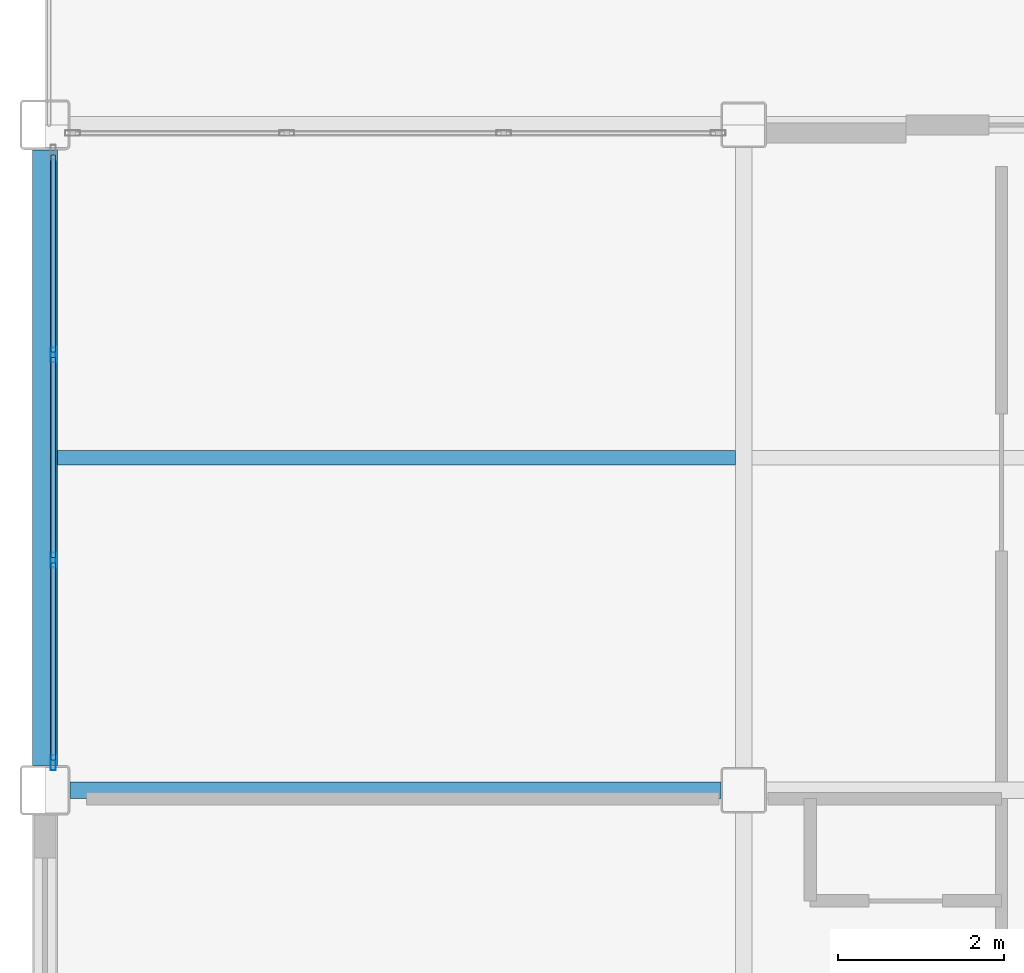
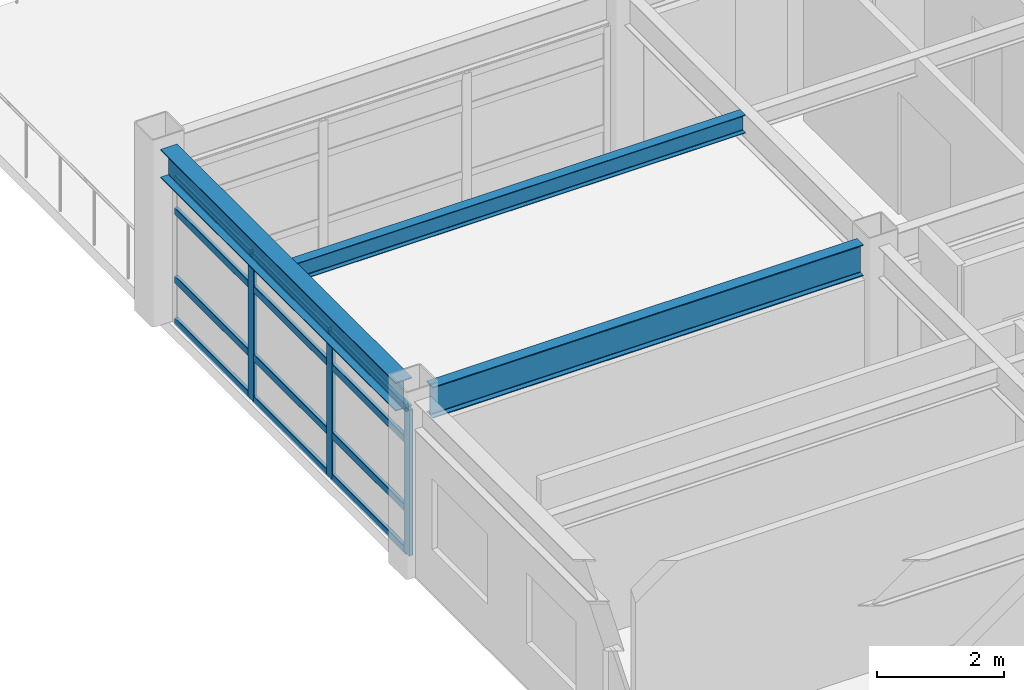
# One storey, part 18 of 36: 15 members, 3 beams, 1 element without a shape of its own.
"""IFC4 building model written with IfcOpenShell, lengths in metres."""

from ifc_helpers import new_model, si_unit, direction, frame, origin, origin_2d, place, context, subcontext, project, spatial, hollow_rectangle, i_section, extrude, material, layer, layer_set, material_profile, profile_set, type_object, element, aggregate, save


model = new_model("IFC4")

# Units and contexts
model_context = context("Model", 3, precision=1e-05, world=origin(), true_north=direction((0.0, 1.0)))
body_context = subcontext(model_context, "Body", "Model", "MODEL_VIEW")
ifc_project = project(units=[si_unit("LENGTHUNIT", "METRE"), si_unit("AREAUNIT", "SQUARE_METRE"), si_unit("VOLUMEUNIT", "CUBIC_METRE"), si_unit("PLANEANGLEUNIT", "RADIAN"), si_unit("MASSUNIT", "GRAM", prefix="KILO")], contexts=[model_context])

# Site, building, storey
site_placement = place(None, origin())
site = spatial("IfcSite", under=ifc_project, at=site_placement, CompositionType="ELEMENT")
building_placement = place(site_placement, origin())
building = spatial("IfcBuilding", under=site, at=building_placement, Name="Kazehara Bluff Congress Hotel", CompositionType="ELEMENT")
storey_placement = place(building_placement, frame((0.0, 0.0, 31.800048828125)))
storey = spatial("IfcBuildingStorey", under=building, at=storey_placement, Name="L07", CompositionType="ELEMENT", Elevation=31.800048828125)

# Curtain wall, members
ifc_material_1 = material(Name="Anodised aluminium", Category="aluminium")
ifc_layer = layer(ifc_material_1, 0.159912109375)
ifc_layer_set = layer_set([ifc_layer], Name="Anodised aluminium")
curtain_wall_type = type_object("IfcCurtainWallType", Name="TP-CW-184", PredefinedType="NOTDEFINED", material=ifc_layer_set)
curtain_wall_placement = place(storey_placement, origin())
curtain_wall = element("IfcCurtainWall", 1, at=curtain_wall_placement, inside=storey, type_object=curtain_wall_type, Name="L07 curtain wall CW-184 CW-ENC-V5-L07-14380-9290", PredefinedType="NOTDEFINED")
ifc_material_2 = material(Name="Anodised aluminium", Category="aluminium")
ifc_material_profile_1 = material_profile(ifc_material_2, hollow_rectangle(XDim=0.06494140625, YDim=0.179931640625, WallThickness=0.00390625, InnerFilletRadius=0.00390625, OuterFilletRadius=0.008056640625, at=origin_2d()))
ifc_profile_set_1 = profile_set([ifc_material_profile_1], Name="Anodised aluminium")
member_type_1 = type_object("IfcMemberType", Name="TP-CWM-02", PredefinedType="MULLION", material=ifc_profile_set_1)
member_1_placement = place(storey_placement, frame((143.800048828125, 89.232421875, 0.0), z_axis=(0.0, 0.0, 1.0), x_axis=(-1.0, 0.0, 0.0)))
member_1 = element("IfcMember", 2, at=member_1_placement, type_object=member_type_1, Name="CW-184 mullion 1", PredefinedType="MULLION", context=body_context, shape_type="SweptSolid", body=[
    extrude(hollow_rectangle(XDim=0.06494140625, YDim=0.179931640625, WallThickness=0.00390625, InnerFilletRadius=0.00390625, OuterFilletRadius=0.008056640625, at=origin_2d()), origin(), (0.0, 0.0, 1.0), 2.804931640625),
])
member_2_placement = place(storey_placement, frame((143.800048828125, 91.666748046875, 0.0), z_axis=(0.0, 0.0, 1.0), x_axis=(-1.0, 0.0, 0.0)))
member_2 = element("IfcMember", 3, at=member_2_placement, type_object=member_type_1, Name="CW-184 mullion 2", PredefinedType="MULLION", context=body_context, shape_type="SweptSolid", body=[
    extrude(hollow_rectangle(XDim=0.06494140625, YDim=0.179931640625, WallThickness=0.00390625, InnerFilletRadius=0.00390625, OuterFilletRadius=0.008056640625, at=origin_2d()), origin(), (0.0, 0.0, 1.0), 2.804931640625),
])
member_3_placement = place(storey_placement, frame((143.800048828125, 94.13330078125, 0.0), z_axis=(0.0, 0.0, 1.0), x_axis=(-1.0, 0.0, 0.0)))
member_3 = element("IfcMember", 4, at=member_3_placement, type_object=member_type_1, Name="CW-184 mullion 3", PredefinedType="MULLION", context=body_context, shape_type="SweptSolid", body=[
    extrude(hollow_rectangle(XDim=0.06494140625, YDim=0.179931640625, WallThickness=0.00390625, InnerFilletRadius=0.00390625, OuterFilletRadius=0.008056640625, at=origin_2d()), origin(), (0.0, 0.0, 1.0), 2.804931640625),
])
ifc_material_3 = material(Name="Anodised aluminium", Category="aluminium")
ifc_material_profile_2 = material_profile(ifc_material_3, hollow_rectangle(XDim=0.06494140625, YDim=0.139892578125, WallThickness=0.00390625, InnerFilletRadius=0.00390625, OuterFilletRadius=0.008056640625, at=origin_2d()))
ifc_profile_set_2 = profile_set([ifc_material_profile_2], Name="Anodised aluminium")
member_type_2 = type_object("IfcMemberType", Name="TP-CWT-02", PredefinedType="USERDEFINED", material=ifc_profile_set_2)
member_4_placement = place(storey_placement, frame((143.800048828125, 89.264892578125, 0.032470703125), z_axis=(0.0, 1.0, 0.0), x_axis=(-1.0, 0.0, 0.0)))
member_4 = element("IfcMember", 5, at=member_4_placement, type_object=member_type_2, Name="CW-184 transom 1.1", ObjectType="TRANSOM", PredefinedType="USERDEFINED", context=body_context, shape_type="SweptSolid", body=[
    extrude(hollow_rectangle(XDim=0.06494140625, YDim=0.139892578125, WallThickness=0.00390625, InnerFilletRadius=0.00390625, OuterFilletRadius=0.008056640625, at=origin_2d()), origin(), (0.0, 0.0, 1.0), 2.369384765625),
])
member_5_placement = place(storey_placement, frame((143.800048828125, 89.264892578125, 0.83984375), z_axis=(0.0, 1.0, 0.0), x_axis=(-1.0, 0.0, 0.0)))
member_5 = element("IfcMember", 6, at=member_5_placement, type_object=member_type_2, Name="CW-184 transom 1.2", ObjectType="TRANSOM", PredefinedType="USERDEFINED", context=body_context, shape_type="SweptSolid", body=[
    extrude(hollow_rectangle(XDim=0.06494140625, YDim=0.139892578125, WallThickness=0.00390625, InnerFilletRadius=0.00390625, OuterFilletRadius=0.008056640625, at=origin_2d()), origin(), (0.0, 0.0, 1.0), 2.369384765625),
])
member_6_placement = place(storey_placement, frame((143.800048828125, 89.264892578125, 2.155029296875), z_axis=(0.0, 1.0, 0.0), x_axis=(-1.0, 0.0, 0.0)))
member_6 = element("IfcMember", 7, at=member_6_placement, type_object=member_type_2, Name="CW-184 transom 1.3", ObjectType="TRANSOM", PredefinedType="USERDEFINED", context=body_context, shape_type="SweptSolid", body=[
    extrude(hollow_rectangle(XDim=0.06494140625, YDim=0.139892578125, WallThickness=0.00390625, InnerFilletRadius=0.00390625, OuterFilletRadius=0.008056640625, at=origin_2d()), origin(), (0.0, 0.0, 1.0), 2.369384765625),
])
member_7_placement = place(storey_placement, frame((143.800048828125, 89.264892578125, 2.7724609375), z_axis=(0.0, 1.0, 0.0), x_axis=(-1.0, 0.0, 0.0)))
member_7 = element("IfcMember", 8, at=member_7_placement, type_object=member_type_2, Name="CW-184 transom 1.4", ObjectType="TRANSOM", PredefinedType="USERDEFINED", context=body_context, shape_type="SweptSolid", body=[
    extrude(hollow_rectangle(XDim=0.06494140625, YDim=0.139892578125, WallThickness=0.00390625, InnerFilletRadius=0.00390625, OuterFilletRadius=0.008056640625, at=origin_2d()), origin(), (0.0, 0.0, 1.0), 2.369384765625),
])
member_8_placement = place(storey_placement, frame((143.800048828125, 91.69921875, 0.032470703125), z_axis=(0.0, 1.0, 0.0), x_axis=(-1.0, 0.0, 0.0)))
member_8 = element("IfcMember", 9, at=member_8_placement, type_object=member_type_2, Name="CW-184 transom 2.1", ObjectType="TRANSOM", PredefinedType="USERDEFINED", context=body_context, shape_type="SweptSolid", body=[
    extrude(hollow_rectangle(XDim=0.06494140625, YDim=0.139892578125, WallThickness=0.00390625, InnerFilletRadius=0.00390625, OuterFilletRadius=0.008056640625, at=origin_2d()), origin(), (0.0, 0.0, 1.0), 2.401611328125),
])
member_9_placement = place(storey_placement, frame((143.800048828125, 91.69921875, 0.83984375), z_axis=(0.0, 1.0, 0.0), x_axis=(-1.0, 0.0, 0.0)))
member_9 = element("IfcMember", 10, at=member_9_placement, type_object=member_type_2, Name="CW-184 transom 2.2", ObjectType="TRANSOM", PredefinedType="USERDEFINED", context=body_context, shape_type="SweptSolid", body=[
    extrude(hollow_rectangle(XDim=0.06494140625, YDim=0.139892578125, WallThickness=0.00390625, InnerFilletRadius=0.00390625, OuterFilletRadius=0.008056640625, at=origin_2d()), origin(), (0.0, 0.0, 1.0), 2.401611328125),
])
member_10_placement = place(storey_placement, frame((143.800048828125, 91.69921875, 2.155029296875), z_axis=(0.0, 1.0, 0.0), x_axis=(-1.0, 0.0, 0.0)))
member_10 = element("IfcMember", 11, at=member_10_placement, type_object=member_type_2, Name="CW-184 transom 2.3", ObjectType="TRANSOM", PredefinedType="USERDEFINED", context=body_context, shape_type="SweptSolid", body=[
    extrude(hollow_rectangle(XDim=0.06494140625, YDim=0.139892578125, WallThickness=0.00390625, InnerFilletRadius=0.00390625, OuterFilletRadius=0.008056640625, at=origin_2d()), origin(), (0.0, 0.0, 1.0), 2.401611328125),
])
member_11_placement = place(storey_placement, frame((143.800048828125, 91.69921875, 2.7724609375), z_axis=(0.0, 1.0, 0.0), x_axis=(-1.0, 0.0, 0.0)))
member_11 = element("IfcMember", 12, at=member_11_placement, type_object=member_type_2, Name="CW-184 transom 2.4", ObjectType="TRANSOM", PredefinedType="USERDEFINED", context=body_context, shape_type="SweptSolid", body=[
    extrude(hollow_rectangle(XDim=0.06494140625, YDim=0.139892578125, WallThickness=0.00390625, InnerFilletRadius=0.00390625, OuterFilletRadius=0.008056640625, at=origin_2d()), origin(), (0.0, 0.0, 1.0), 2.401611328125),
])
member_12_placement = place(storey_placement, frame((143.800048828125, 94.165771484375, 0.032470703125), z_axis=(0.0, 1.0, 0.0), x_axis=(-1.0, 0.0, 0.0)))
member_12 = element("IfcMember", 13, at=member_12_placement, type_object=member_type_2, Name="CW-184 transom 3.1", ObjectType="TRANSOM", PredefinedType="USERDEFINED", context=body_context, shape_type="SweptSolid", body=[
    extrude(hollow_rectangle(XDim=0.06494140625, YDim=0.139892578125, WallThickness=0.00390625, InnerFilletRadius=0.00390625, OuterFilletRadius=0.008056640625, at=origin_2d()), origin(), (0.0, 0.0, 1.0), 2.369140625),
])
member_13_placement = place(storey_placement, frame((143.800048828125, 94.165771484375, 0.83984375), z_axis=(0.0, 1.0, 0.0), x_axis=(-1.0, 0.0, 0.0)))
member_13 = element("IfcMember", 14, at=member_13_placement, type_object=member_type_2, Name="CW-184 transom 3.2", ObjectType="TRANSOM", PredefinedType="USERDEFINED", context=body_context, shape_type="SweptSolid", body=[
    extrude(hollow_rectangle(XDim=0.06494140625, YDim=0.139892578125, WallThickness=0.00390625, InnerFilletRadius=0.00390625, OuterFilletRadius=0.008056640625, at=origin_2d()), origin(), (0.0, 0.0, 1.0), 2.369140625),
])
member_14_placement = place(storey_placement, frame((143.800048828125, 94.165771484375, 2.155029296875), z_axis=(0.0, 1.0, 0.0), x_axis=(-1.0, 0.0, 0.0)))
member_14 = element("IfcMember", 15, at=member_14_placement, type_object=member_type_2, Name="CW-184 transom 3.3", ObjectType="TRANSOM", PredefinedType="USERDEFINED", context=body_context, shape_type="SweptSolid", body=[
    extrude(hollow_rectangle(XDim=0.06494140625, YDim=0.139892578125, WallThickness=0.00390625, InnerFilletRadius=0.00390625, OuterFilletRadius=0.008056640625, at=origin_2d()), origin(), (0.0, 0.0, 1.0), 2.369140625),
])
member_15_placement = place(storey_placement, frame((143.800048828125, 94.165771484375, 2.7724609375), z_axis=(0.0, 1.0, 0.0), x_axis=(-1.0, 0.0, 0.0)))
member_15 = element("IfcMember", 16, at=member_15_placement, type_object=member_type_2, Name="CW-184 transom 3.4", ObjectType="TRANSOM", PredefinedType="USERDEFINED", context=body_context, shape_type="SweptSolid", body=[
    extrude(hollow_rectangle(XDim=0.06494140625, YDim=0.139892578125, WallThickness=0.00390625, InnerFilletRadius=0.00390625, OuterFilletRadius=0.008056640625, at=origin_2d()), origin(), (0.0, 0.0, 1.0), 2.369140625),
])
aggregate(curtain_wall, [member_1, member_2, member_3, member_4, member_5, member_6, member_7, member_8, member_9, member_10, member_11, member_12, member_13, member_14, member_15])

# Beams
ifc_material_4 = material(Name="Steel SN490B", Category="steel")
ifc_material_profile_3 = material_profile(ifc_material_4, i_section(OverallWidth=0.199951171875, OverallDepth=0.60009765625, WebThickness=0.010986328125, FlangeThickness=0.01708984375, FilletRadius=0.012939453125, at=origin_2d()))
ifc_profile_set_3 = profile_set([ifc_material_profile_3], Name="Steel SN490B")
beam_type_1 = type_object("IfcBeamType", Name="TP-G-02", PredefinedType="BEAM", material=ifc_profile_set_3)
beam_1_placement = place(storey_placement, frame((144.0, 88.89990234375, 3.079833984375), z_axis=(1.0, 0.0, 0.0), x_axis=(0.0, 1.0, 0.0)))
element("IfcBeam", 17, at=beam_1_placement, inside=storey, type_object=beam_type_1, Name="L07 girder G-02 62", PredefinedType="BEAM", context=body_context, shape_type="SweptSolid", body=[
    extrude(i_section(OverallWidth=0.199951171875, OverallDepth=0.60009765625, WebThickness=0.010986328125, FlangeThickness=0.01708984375, FilletRadius=0.012939453125, at=origin_2d()), origin(), (0.0, 0.0, 1.0), 7.824951171875),
])
ifc_material_5 = material(Name="Steel SN400B", Category="steel")
ifc_material_profile_4 = material_profile(ifc_material_5, i_section(OverallWidth=0.175048828125, OverallDepth=0.35009765625, WebThickness=0.007080078125, FlangeThickness=0.010986328125, FilletRadius=0.012939453125, at=origin_2d()))
ifc_profile_set_4 = profile_set([ifc_material_profile_4], Name="Steel SN400B")
beam_type_2 = type_object("IfcBeamType", Name="TP-J-02", PredefinedType="JOIST", material=ifc_profile_set_4)
beam_2_placement = place(storey_placement, frame((143.85009765625, 92.89990234375, 3.204833984375), z_axis=(1.0, 0.0, 0.0), x_axis=(0.0, 1.0, 0.0)))
element("IfcBeam", 18, at=beam_2_placement, inside=storey, type_object=beam_type_2, Name="L07 secondary joist J-02 7", PredefinedType="JOIST", context=body_context, shape_type="SweptSolid", body=[
    extrude(i_section(OverallWidth=0.175048828125, OverallDepth=0.35009765625, WebThickness=0.007080078125, FlangeThickness=0.010986328125, FilletRadius=0.012939453125, at=origin_2d()), origin(), (0.0, 0.0, 1.0), 8.14990234375),
])
ifc_material_6 = material(Name="Steel SN490B", Category="steel")
ifc_material_profile_5 = material_profile(ifc_material_6, i_section(OverallWidth=0.300048828125, OverallDepth=0.550048828125, WebThickness=0.010986328125, FlangeThickness=0.01806640625, FilletRadius=0.012939453125, at=origin_2d()))
ifc_profile_set_5 = profile_set([ifc_material_profile_5], Name="Steel SN490B")
beam_type_3 = type_object("IfcBeamType", Name="TP-SP-01", PredefinedType="SPANDREL", material=ifc_profile_set_5)
beam_3_placement = place(storey_placement, frame((143.699951171875, 89.199951171875, 3.10498046875), z_axis=(0.0, 1.0, 0.0), x_axis=(-1.0, 0.0, 0.0)))
element("IfcBeam", 19, at=beam_3_placement, inside=storey, type_object=beam_type_3, Name="L07 girder SP-01 10", PredefinedType="SPANDREL", context=body_context, shape_type="SweptSolid", body=[
    extrude(i_section(OverallWidth=0.300048828125, OverallDepth=0.550048828125, WebThickness=0.010986328125, FlangeThickness=0.01806640625, FilletRadius=0.012939453125, at=origin_2d()), origin(), (0.0, 0.0, 1.0), 7.400146484375),
])

save(model, "model.ifc")
